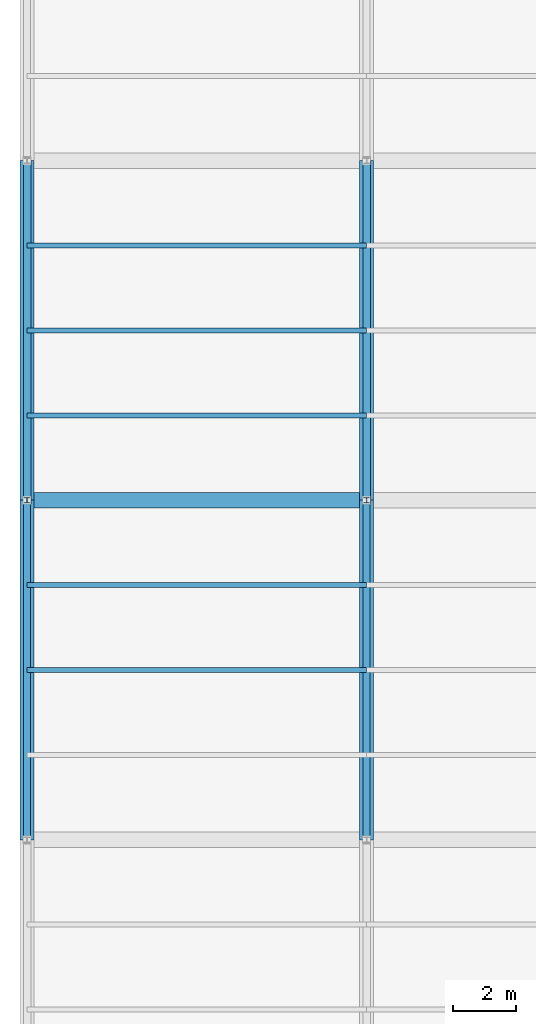
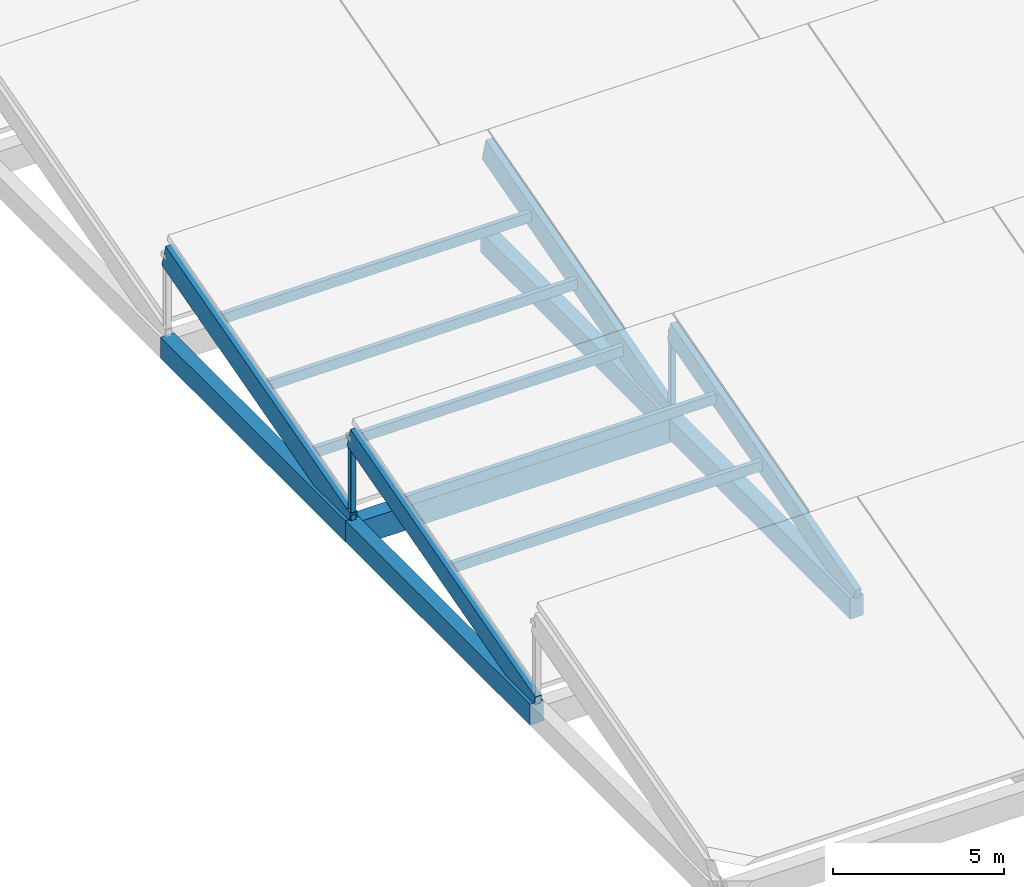
# One storey, part 4 of 112: 11 members, 5 beams.
"""IFC4 building model written with IfcOpenShell, lengths in metres."""

import ifcopenshell
import ifcopenshell.guid

model = None  # the IFC model being written
_history = None  # IfcOwnerHistory: only IFC2X3 demands one
_inside = {}  # id of a spatial element -> (the spatial element, [elements in it])
_under = {}  # id of a project, library or spatial element -> (it, [spatial elements below it])
_declared = {}  # id of a project -> (the project, [libraries it declares])
_typed = {}  # id of a type object -> (the type object, [elements of that type])
_made_of = {}  # id of a material, layer set ... -> (it, [elements and type objects made of it])


def new_model(schema):
    """Start an empty IFC model of exactly this schema.

    Asked for "IFC4X3", IfcOpenShell would pick the latest addendum, in which some entities
    have other attributes; the version numbers below select the first issue.
    IFC2X3 requires an IfcOwnerHistory on every rooted entity: one is made here for all.
    """
    global model, _history
    if schema == "IFC4X3":
        model = ifcopenshell.file(schema_version=(4, 3, 0, 0))
    else:
        model = ifcopenshell.file(schema=schema)
    _inside.clear()
    _under.clear()
    _declared.clear()
    _typed.clear()
    _made_of.clear()
    _history = None
    if model.schema == "IFC2X3":
        org = make("IfcOrganization", Name="unknown")
        user = make(
            "IfcPersonAndOrganization",
            ThePerson=make("IfcPerson", FamilyName="unknown"),
            TheOrganization=org,
        )
        app = make(
            "IfcApplication",
            ApplicationDeveloper=org,
            Version="unknown",
            ApplicationFullName="unknown",
            ApplicationIdentifier="unknown",
        )
        _history = make(
            "IfcOwnerHistory",
            OwningUser=user,
            OwningApplication=app,
            ChangeAction="ADDED",
            CreationDate=0,
        )
    return model


def make(cls, **values):
    """One entity of the class cls with the attributes given. An attribute that is None is left unset."""
    return model.create_entity(
        cls, **{name: value for name, value in values.items() if value is not None}
    )


def rooted(cls, **values):
    """An entity with a GlobalId (a new one), such as an element, a storey or a relation."""
    return make(cls, GlobalId=ifcopenshell.guid.new(), OwnerHistory=_history, **values)


def si_unit(unit_type, name, prefix=None):
    """IfcSIUnit, for example si_unit("LENGTHUNIT", "METRE", prefix="MILLI")."""
    return make("IfcSIUnit", UnitType=unit_type, Prefix=prefix, Name=name)


def assignment(units):
    """IfcUnitAssignment: the units of a project."""
    return None if units is None else make("IfcUnitAssignment", Units=units)


def point(xyz):
    """IfcCartesianPoint."""
    return None if xyz is None else make("IfcCartesianPoint", Coordinates=xyz)


def direction(xyz):
    """IfcDirection."""
    return None if xyz is None else make("IfcDirection", DirectionRatios=xyz)


def frame(location, z_axis=None, x_axis=None):
    """IfcAxis2Placement3D, a coordinate frame: its origin and axes. An axis left out is left unset."""
    return make(
        "IfcAxis2Placement3D",
        Location=point(location),
        Axis=direction(z_axis),
        RefDirection=direction(x_axis),
    )


def frame_2d(location, x_axis=None):
    """IfcAxis2Placement2D, a coordinate frame in the plane: its origin and x axis."""
    return make(
        "IfcAxis2Placement2D", Location=point(location), RefDirection=direction(x_axis)
    )


def origin():
    """The frame at (0, 0, 0) with its axes left unset."""
    return frame((0.0, 0.0, 0.0))


def origin_2d():
    """The frame at (0, 0) in the plane with its x axis left unset."""
    return frame_2d((0.0, 0.0))


def place(relative_to, where):
    """IfcLocalPlacement: puts the frame where relative to a parent placement (None: the world)."""
    return make(
        "IfcLocalPlacement", PlacementRelTo=relative_to, RelativePlacement=where
    )


def context(
    kind, dimensions, precision=None, world=None, true_north=None, identifier=None
):
    """IfcGeometricRepresentationContext, for example the 3D "Model" context."""
    return make(
        "IfcGeometricRepresentationContext",
        ContextIdentifier=identifier,
        ContextType=kind,
        CoordinateSpaceDimension=dimensions,
        Precision=precision,
        WorldCoordinateSystem=world,
        TrueNorth=true_north,
    )


def subcontext(parent, identifier, kind, view, scale=None):
    """IfcGeometricRepresentationSubContext, for example "Body" below "Model"."""
    return make(
        "IfcGeometricRepresentationSubContext",
        ContextIdentifier=identifier,
        ContextType=kind,
        ParentContext=parent,
        TargetScale=scale,
        TargetView=view,
    )


def project(units=None, contexts=None):
    """IfcProject with its units and contexts."""
    return rooted(
        "IfcProject",
        Name="project",
        RepresentationContexts=contexts,
        UnitsInContext=assignment(units),
    )


def spatial(cls, under=None, at=None, **own):
    """A site, building, storey or space (cls), placed at a placement, below another one or the project."""
    s = rooted(cls, ObjectPlacement=at, **own)
    if under is not None:
        _under.setdefault(under.id(), (under, []))[1].append(s)
    return s


def profile(cls, at=None, kind="AREA", **sizes):
    """A parametric profile (cls). Its sizes go by their IFC names, for example OverallWidth=200.0."""
    return make(cls, ProfileType=kind, Position=at, **sizes)


def rectangle(**sizes):
    """IfcRectangleProfileDef."""
    return profile("IfcRectangleProfileDef", **sizes)


def i_section(**sizes):
    """IfcIShapeProfileDef."""
    return profile("IfcIShapeProfileDef", **sizes)


def extrude(swept, where, along, depth):
    """IfcExtrudedAreaSolid: the profile swept, set in the frame where, extruded along a direction by depth."""
    return make(
        "IfcExtrudedAreaSolid",
        SweptArea=swept,
        Position=where,
        ExtrudedDirection=direction(along),
        Depth=depth,
    )


def shape(context_of_items, identifier, shape_type, items):
    """IfcShapeRepresentation: the items that make up one representation, for example the "Body"."""
    return make(
        "IfcShapeRepresentation",
        ContextOfItems=context_of_items,
        RepresentationIdentifier=identifier,
        RepresentationType=shape_type,
        Items=items,
    )


def material(Name=None, Category=None):
    """IfcMaterial."""
    return make("IfcMaterial", Name=Name, Category=Category)


def material_profile(
    of_material, cross_section, Name=None, Category=None, Priority=None
):
    """IfcMaterialProfile: a cross section and its material."""
    return make(
        "IfcMaterialProfile",
        Name=Name,
        Material=of_material,
        Profile=cross_section,
        Priority=Priority,
        Category=Category,
    )


def profile_set(profiles, Name=None, composite=None):
    """IfcMaterialProfileSet."""
    return make(
        "IfcMaterialProfileSet",
        Name=Name,
        MaterialProfiles=profiles,
        CompositeProfile=composite,
    )


def made_of(thing, what):
    """Note that an element or type object is made of a material, layer set ...; save() writes the relation."""
    if what is not None:
        _made_of.setdefault(what.id(), (what, []))[1].append(thing)
    return thing


def type_object(cls, material=None, **own):
    """A type object (cls), such as IfcWallType, which elements share."""
    return made_of(rooted(cls, **own), material)


def element(
    cls,
    number,
    at=None,
    inside=None,
    cuts=None,
    type_object=None,
    material=None,
    context=None,
    identifier="Body",
    shape_type=None,
    held_by="IfcProductDefinitionShape",
    body=None,
    shapes=None,
    **own,
):
    """One element of the class cls, such as IfcWall. Its Tag is "e" and its number.

    at: its placement. inside: the storey or other place that contains it. cuts: it is an
    opening in that element (IfcRelVoidsElement). A single representation is given by context,
    identifier, shape_type and body (its items); several are given by shapes. held_by: the class
    of the entity that holds the representations. save() writes the other relations.
    """
    e = rooted(cls, Tag="e%d" % number, ObjectPlacement=at, **own)
    if body is not None:
        shapes = [shape(context, identifier, shape_type, body)]
    if shapes is not None:
        e.Representation = make(held_by, Representations=shapes)
    if inside is not None:
        _inside.setdefault(inside.id(), (inside, []))[1].append(e)
    if cuts is not None:
        rooted(
            "IfcRelVoidsElement", RelatingBuildingElement=cuts, RelatedOpeningElement=e
        )
    if type_object is not None:
        _typed.setdefault(type_object.id(), (type_object, []))[1].append(e)
    return made_of(e, material)


def aggregate(whole, parts):
    """IfcRelAggregates: a whole, such as a stair, and the parts it consists of."""
    return rooted("IfcRelAggregates", RelatingObject=whole, RelatedObjects=parts)


def save(model, path):
    """Write the relations noted so far, then the file.

    IfcRelAggregates (storeys below a building ...), IfcRelContainedInSpatialStructure (elements
    in a storey), IfcRelDefinesByType, IfcRelAssociatesMaterial and IfcRelDeclares: one each for
    every whole, place, type object, material and project.
    """
    for whole, parts in _under.values():
        aggregate(whole, parts)
    for where, things in _inside.values():
        rooted(
            "IfcRelContainedInSpatialStructure",
            RelatedElements=things,
            RelatingStructure=where,
        )
    for kind, things in _typed.values():
        rooted("IfcRelDefinesByType", RelatedObjects=things, RelatingType=kind)
    for what, things in _made_of.values():
        rooted("IfcRelAssociatesMaterial", RelatedObjects=things, RelatingMaterial=what)
    for by, libraries in _declared.values():
        rooted("IfcRelDeclares", RelatingContext=by, RelatedDefinitions=libraries)
    model.write(path)


model = new_model("IFC4")

# Units and contexts
model_context = context("Model", 3, precision=1e-05, world=origin(), true_north=direction((0.0, 1.0)))
body_context = subcontext(model_context, "Body", "Model", "MODEL_VIEW")
ifc_project = project(units=[si_unit("LENGTHUNIT", "METRE"), si_unit("AREAUNIT", "SQUARE_METRE"), si_unit("VOLUMEUNIT", "CUBIC_METRE"), si_unit("PLANEANGLEUNIT", "RADIAN"), si_unit("MASSUNIT", "GRAM", prefix="KILO")], contexts=[model_context])

# Site, building, storey
site_placement = place(None, origin())
site = spatial("IfcSite", under=ifc_project, at=site_placement, CompositionType="ELEMENT")
building_placement = place(site_placement, origin())
building = spatial("IfcBuilding", under=site, at=building_placement, Name="Zwinboog Wholesale Market", CompositionType="ELEMENT")
storey_placement = place(building_placement, frame((0.0, 0.0, 19.080078125)))
storey = spatial("IfcBuildingStorey", under=building, at=storey_placement, Name="Roof", CompositionType="ELEMENT", Elevation=19.080078125)

# Beams
ifc_material_1 = material(Name="Precast concrete C45/55", Category="concrete")
ifc_material_profile_1 = material_profile(ifc_material_1, rectangle(XDim=0.5, YDim=0.85009765625, at=origin_2d()), Name="PC 500x850")
ifc_profile_set_1 = profile_set([ifc_material_profile_1], Name="Precast concrete C45/55")
beam_type_1 = type_object("IfcBeamType", Name="BT-03", PredefinedType="BEAM", material=ifc_profile_set_1)
beam_1_placement = place(storey_placement, frame((0.0, 21.60009765625, -9.425048828125), z_axis=(1.0, 0.0, 0.0), x_axis=(0.0, 1.0, 0.0)))
element("IfcBeam", 1, at=beam_1_placement, inside=storey, type_object=beam_type_1, Name="BG-03 (BMG-Roof-0000-0216-1155)", PredefinedType="BEAM", context=body_context, shape_type="SweptSolid", body=[
    extrude(rectangle(XDim=0.5, YDim=0.85009765625, at=origin_2d()), origin(), (0.0, 0.0, 1.0), 10.800048828125),
])
ifc_material_profile_2 = material_profile(ifc_material_1, rectangle(XDim=0.449951171875, YDim=0.75, at=origin_2d()), Name="PC 450x750")
ifc_profile_set_2 = profile_set([ifc_material_profile_2], Name="Precast concrete C45/55")
beam_type_2 = type_object("IfcBeamType", Name="BT-04", PredefinedType="BEAM", material=ifc_profile_set_2)
beam_2_placement = place(storey_placement, frame((0.0, 10.800048828125, -9.375), z_axis=(0.0, 1.0, 0.0), x_axis=(-1.0, 0.0, 0.0)))
element("IfcBeam", 2, at=beam_2_placement, inside=storey, type_object=beam_type_2, Name="BG-04 (BMG-Roof-0000-0108-1202)", PredefinedType="BEAM", context=body_context, shape_type="SweptSolid", body=[
    extrude(rectangle(XDim=0.449951171875, YDim=0.75, at=origin_2d()), origin(), (0.0, 0.0, 1.0), 10.800048828125),
])
beam_3_placement = place(storey_placement, frame((0.0, 21.60009765625, -9.375), z_axis=(0.0, 1.0, 0.0), x_axis=(-1.0, 0.0, 0.0)))
element("IfcBeam", 3, at=beam_3_placement, inside=storey, type_object=beam_type_2, Name="BG-04 (BMG-Roof-0000-0216-1203)", PredefinedType="BEAM", context=body_context, shape_type="SweptSolid", body=[
    extrude(rectangle(XDim=0.449951171875, YDim=0.75, at=origin_2d()), origin(), (0.0, 0.0, 1.0), 10.7998046875),
])
beam_4_placement = place(storey_placement, frame((10.800048828125, 10.800048828125, -9.375), z_axis=(0.0, 1.0, 0.0), x_axis=(-1.0, 0.0, 0.0)))
element("IfcBeam", 4, at=beam_4_placement, inside=storey, type_object=beam_type_2, Name="BG-04 (BMG-Roof-0108-0108-1212)", PredefinedType="BEAM", context=body_context, shape_type="SweptSolid", body=[
    extrude(rectangle(XDim=0.449951171875, YDim=0.75, at=origin_2d()), origin(), (0.0, 0.0, 1.0), 10.800048828125),
])
beam_5_placement = place(storey_placement, frame((10.800048828125, 21.60009765625, -9.375), z_axis=(0.0, 1.0, 0.0), x_axis=(-1.0, 0.0, 0.0)))
element("IfcBeam", 5, at=beam_5_placement, inside=storey, type_object=beam_type_2, Name="BG-04 (BMG-Roof-0108-0216-1213)", PredefinedType="BEAM", context=body_context, shape_type="SweptSolid", body=[
    extrude(rectangle(XDim=0.449951171875, YDim=0.75, at=origin_2d()), origin(), (0.0, 0.0, 1.0), 10.7998046875),
])

# Members
ifc_material_2 = material(Name="Steel S355", Category="steel")
ifc_material_profile_3 = material_profile(ifc_material_2, i_section(OverallWidth=0.179931640625, OverallDepth=0.1708984375, WebThickness=0.006103515625, FlangeThickness=0.009521484375, FilletRadius=0.014892578125, at=origin_2d()), Name="HEA 180")
ifc_profile_set_3 = profile_set([ifc_material_profile_3], Name="Steel S355")
member_type_1 = type_object("IfcMemberType", Name="MT-07", PredefinedType="BRACE", material=ifc_profile_set_3)
member_1_placement = place(storey_placement, frame((0.0, 21.60009765625, -9.2001953125), z_axis=(0.0, 0.0, 1.0), x_axis=(1.0, 0.0, 0.0)))
element("IfcMember", 6, at=member_1_placement, inside=storey, type_object=member_type_1, Name="DB-04 (MEM-Roof-0684)", PredefinedType="BRACE", context=body_context, shape_type="SweptSolid", body=[
    extrude(i_section(OverallWidth=0.179931640625, OverallDepth=0.1708984375, WebThickness=0.006103515625, FlangeThickness=0.009521484375, FilletRadius=0.014892578125, at=origin_2d()), origin(), (0.0, 0.0, 1.0), 3.134521484375),
])
member_2_placement = place(storey_placement, frame((10.800048828125, 21.60009765625, -9.2001953125), z_axis=(0.0, 0.0, 1.0), x_axis=(1.0, 0.0, 0.0)))
element("IfcMember", 7, at=member_2_placement, inside=storey, type_object=member_type_1, Name="DB-04 (MEM-Roof-0688)", PredefinedType="BRACE", context=body_context, shape_type="SweptSolid", body=[
    extrude(i_section(OverallWidth=0.179931640625, OverallDepth=0.1708984375, WebThickness=0.006103515625, FlangeThickness=0.009521484375, FilletRadius=0.014892578125, at=origin_2d()), origin(), (0.0, 0.0, 1.0), 3.14697265625),
])
ifc_material_3 = material(Name="Glulam GL28h", Category="wood")
ifc_material_profile_4 = material_profile(ifc_material_3, rectangle(XDim=0.239990234375, YDim=0.840087890625, at=origin_2d()), Name="GL28h 240x840")
ifc_profile_set_4 = profile_set([ifc_material_profile_4], Name="Glulam GL28h")
member_type_2 = type_object("IfcMemberType", Name="MT-09", PredefinedType="RAFTER", material=ifc_profile_set_4)
for number, where, z_axis, x_axis, name in (
    (8, (0.0, 21.60009765625, -9.125732421875), (0.0, 0.963516661409, 0.267648357342), (-1.0, 0.0, 0.0), "GR-01 (MEM-Roof-0703)"),
    (9, (10.800048828125, 21.60009765625, -9.11328125), (0.0, 0.963516661409, 0.267648357342), (-1.0, 0.0, 0.0), "GR-01 (MEM-Roof-0707)"),
):
    element("IfcMember", number, at=place(storey_placement, frame(where, z_axis=z_axis, x_axis=x_axis)), inside=storey, type_object=member_type_2, Name=name, PredefinedType="RAFTER", context=body_context, shape_type="SweptSolid", body=[
        extrude(rectangle(XDim=0.239990234375, YDim=0.840087890625, at=origin_2d()), origin(), (0.0, 0.0, 1.0), 11.208740234375),
    ])
ifc_material_profile_5 = material_profile(ifc_material_3, rectangle(XDim=0.219970703125, YDim=0.719970703125, at=origin_2d()), Name="GL28h 220x720")
ifc_profile_set_5 = profile_set([ifc_material_profile_5], Name="Glulam GL28h")
member_type_3 = type_object("IfcMemberType", Name="MT-10", PredefinedType="RAFTER", material=ifc_profile_set_5)
for number, where, z_axis, x_axis, name in (
    (10, (0.0, 10.800048828125, -9.065673828125), (0.0, 0.963518221675, 0.26764274042), (-1.0, 0.0, 0.0), "GR-02 (MEM-Roof-0685)"),
    (11, (10.800048828125, 10.800048828125, -9.05322265625), (0.0, 0.963518221675, 0.26764274042), (-1.0, 0.0, 0.0), "GR-02 (MEM-Roof-0689)"),
):
    element("IfcMember", number, at=place(storey_placement, frame(where, z_axis=z_axis, x_axis=x_axis)), inside=storey, type_object=member_type_3, Name=name, PredefinedType="RAFTER", context=body_context, shape_type="SweptSolid", body=[
        extrude(rectangle(XDim=0.219970703125, YDim=0.719970703125, at=origin_2d()), origin(), (0.0, 0.0, 1.0), 11.208984375),
    ])
ifc_material_profile_6 = material_profile(ifc_material_3, rectangle(XDim=0.159912109375, YDim=0.360107421875, at=origin_2d()), Name="GL28h 160x360")
ifc_profile_set_6 = profile_set([ifc_material_profile_6], Name="Glulam GL28h")
member_type_4 = type_object("IfcMemberType", Name="MT-12", PredefinedType="PURLIN", material=ifc_profile_set_6)
for number, where, z_axis, x_axis, name in (
    (12, (0.0, 18.89990234375, -6.785888671875), (1.0, 0.0, 0.0), (0.0, 1.0, 0.0), "GP-01 (MEM-Roof-0687)"),
    (13, (0.0, 24.300048828125, -8.345703125), (1.0, 0.0, 0.0), (0.0, 1.0, 0.0), "GP-01 (MEM-Roof-0704)"),
    (14, (0.0, 29.699951171875, -6.845703125), (1.0, 0.0, 0.0), (0.0, 1.0, 0.0), "GP-01 (MEM-Roof-0705)"),
    (15, (0.0, 16.199951171875, -7.535888671875), (1.0, 0.0, 0.0), (0.0, 1.0, 0.0), "GP-01 (MEM-PRL-Roof-0005)"),
    (16, (0.0, 27.0, -7.595703125), (1.0, 0.0, 0.0), (0.0, 1.0, 0.0), "GP-01 (MEM-PRL-Roof-0009)"),
):
    element("IfcMember", number, at=place(storey_placement, frame(where, z_axis=z_axis, x_axis=x_axis)), inside=storey, type_object=member_type_4, Name=name, PredefinedType="PURLIN", context=body_context, shape_type="SweptSolid", body=[
        extrude(rectangle(XDim=0.159912109375, YDim=0.360107421875, at=origin_2d()), origin(), (0.0, 0.0, 1.0), 10.800048828125),
    ])

save(model, "model.ifc")
